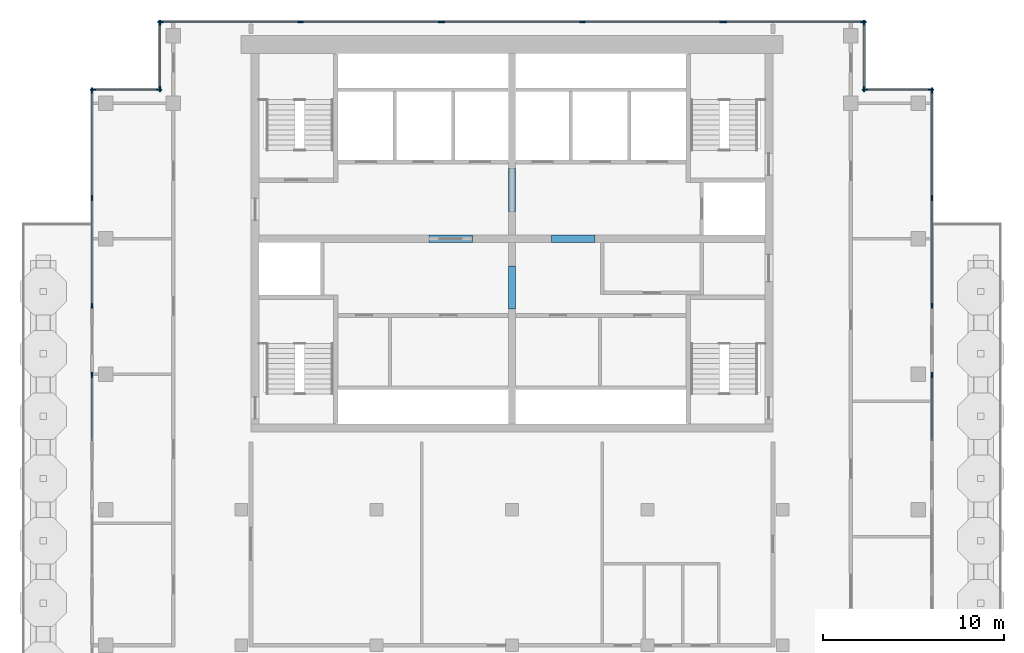
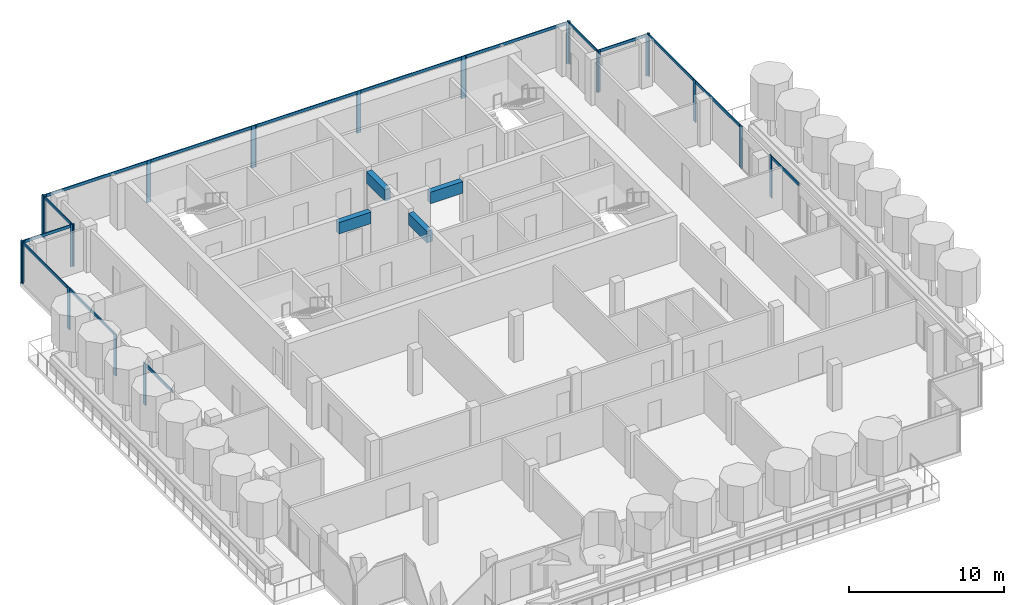
# One storey, part 4 of 12: 39 members, 4 beams, 11 elements without a shape of their own.
"""IFC4 building model written with IfcOpenShell, lengths in metres."""

from ifc_helpers import new_model, si_unit, direction, frame, origin, origin_2d, place, context, subcontext, project, spatial, rectangle, extrude, material, material_profile, profile_set, type_object, element, aggregate, save


model = new_model("IFC4")

# Units and contexts
model_context = context("Model", 3, precision=1e-05, world=origin(), true_north=direction((0.0, 1.0)))
body_context = subcontext(model_context, "Body", "Model", "MODEL_VIEW")
ifc_project = project(units=[si_unit("LENGTHUNIT", "METRE"), si_unit("AREAUNIT", "SQUARE_METRE"), si_unit("VOLUMEUNIT", "CUBIC_METRE"), si_unit("PLANEANGLEUNIT", "RADIAN"), si_unit("MASSUNIT", "GRAM", prefix="KILO")], contexts=[model_context])

# Site, building, storey
site_placement = place(None, origin())
site = spatial("IfcSite", under=ifc_project, at=site_placement, CompositionType="ELEMENT")
building_placement = place(site_placement, origin())
building = spatial("IfcBuilding", under=site, at=building_placement, Name="Pilkhan Gate Tower", CompositionType="ELEMENT")
storey_placement = place(building_placement, frame((0.0, 0.0, 258.5)))
storey = spatial("IfcBuildingStorey", under=building, at=storey_placement, Name="L67", CompositionType="ELEMENT", Elevation=258.5)

# Beams
ifc_material_1 = material(Name="Concrete C50/60", Category="concrete")
ifc_material_profile_1 = material_profile(ifc_material_1, rectangle(XDim=0.39990234375, YDim=0.89990234375, at=origin_2d()), Name="RC 400x900")
ifc_profile_set_1 = profile_set([ifc_material_profile_1], Name="Concrete C50/60")
beam_type = type_object("IfcBeamType", Name="Coupling beam CB90-4 RC 400x900 C50/60", PredefinedType="LINTEL", material=ifc_profile_set_1)
for number, where, z_axis, x_axis, name in (
    (1, (70.39990234375, 82.5, 2.85009765625), (1.0, 0.0, 0.0), (0.0, 1.0, 0.0), "Coupling beam 1 L67"),
    (2, (77.199951171875, 82.5, 2.85009765625), (1.0, 0.0, 0.0), (0.0, 1.0, 0.0), "Coupling beam 2 L67"),
):
    element("IfcBeam", number, at=place(storey_placement, frame(where, z_axis=z_axis, x_axis=x_axis)), inside=storey, type_object=beam_type, Name=name, PredefinedType="LINTEL", context=body_context, shape_type="SweptSolid", body=[
        extrude(rectangle(XDim=0.39990234375, YDim=0.89990234375, at=origin_2d()), origin(), (0.0, 0.0, 1.0), 2.400146484375),
    ])
for number, where, z_axis, x_axis, name in (
    (3, (75.0, 78.60009765625, 2.85009765625), (0.0, 1.0, 0.0), (-1.0, 0.0, 0.0), "Coupling beam 3 L67"),
    (4, (75.0, 84.0, 2.85009765625), (0.0, 1.0, 0.0), (-1.0, 0.0, 0.0), "Coupling beam 4 L67"),
):
    element("IfcBeam", number, at=place(storey_placement, frame(where, z_axis=z_axis, x_axis=x_axis)), inside=storey, type_object=beam_type, Name=name, PredefinedType="LINTEL", context=body_context, shape_type="SweptSolid", body=[
        extrude(rectangle(XDim=0.39990234375, YDim=0.89990234375, at=origin_2d()), origin(), (0.0, 0.0, 1.0), 2.39990234375),
    ])

# Curtain wall, member
ifc_material_2 = material(Name="Pale anodised aluminium, clear low-iron double glazing", Category="aluminium")
curtain_wall_type = type_object("IfcCurtainWallType", Name="Crown unitised curtain wall CW-C", PredefinedType="USERDEFINED", material=ifc_material_2)
curtain_wall_1_placement = place(storey_placement, origin())
curtain_wall_1 = element("IfcCurtainWall", 5, at=curtain_wall_1_placement, inside=storey, type_object=curtain_wall_type, Name="Crown unitised curtain wall CW-C L67 E", ObjectType="UNITISED CURTAIN WALL", PredefinedType="USERDEFINED")
ifc_material_3 = material(Name="Pale anodised aluminium", Category="aluminium")
ifc_material_profile_2 = material_profile(ifc_material_3, rectangle(XDim=0.074951171875, YDim=0.300048828125, at=origin_2d()), Name="Mullion 300x75")
ifc_profile_set_2 = profile_set([ifc_material_profile_2], Name="Pale anodised aluminium")
member_type_1 = type_object("IfcMemberType", Name="Mullion CW-C 300x75", PredefinedType="MULLION", material=ifc_profile_set_2)
member_1_placement = place(storey_placement, frame((98.25, 74.96240234375, 0.0), z_axis=(0.0, 0.0, 1.0), x_axis=(-1.0, 0.0, 0.0)))
member_1 = element("IfcMember", 6, at=member_1_placement, type_object=member_type_1, Name="CW-C mullion 2", PredefinedType="MULLION", context=body_context, shape_type="SweptSolid", body=[
    extrude(rectangle(XDim=0.074951171875, YDim=0.300048828125, at=origin_2d()), origin(), (0.0, 0.0, 1.0), 3.300048828125),
])

# Curtain wall, members
curtain_wall_2_placement = place(storey_placement, origin())
curtain_wall_2 = element("IfcCurtainWall", 7, at=curtain_wall_2_placement, inside=storey, type_object=curtain_wall_type, Name="Crown unitised curtain wall CW-C L67 E", ObjectType="UNITISED CURTAIN WALL", PredefinedType="USERDEFINED")
member_2_placement = place(storey_placement, frame((98.25, 78.78759765625, 0.0), z_axis=(0.0, 0.0, 1.0), x_axis=(-1.0, 0.0, 0.0)))
member_2 = element("IfcMember", 8, at=member_2_placement, type_object=member_type_1, Name="CW-C mullion 1", PredefinedType="MULLION", context=body_context, shape_type="SweptSolid", body=[
    extrude(rectangle(XDim=0.074951171875, YDim=0.300048828125, at=origin_2d()), origin(), (0.0, 0.0, 1.0), 3.300048828125),
])
member_3_placement = place(storey_placement, frame((98.25, 84.75, 0.0), z_axis=(0.0, 0.0, 1.0), x_axis=(-1.0, 0.0, 0.0)))
member_3 = element("IfcMember", 9, at=member_3_placement, type_object=member_type_1, Name="CW-C mullion 2", PredefinedType="MULLION", context=body_context, shape_type="SweptSolid", body=[
    extrude(rectangle(XDim=0.074951171875, YDim=0.300048828125, at=origin_2d()), origin(), (0.0, 0.0, 1.0), 3.300048828125),
])
member_4_placement = place(storey_placement, frame((98.25, 90.71240234375, 0.0), z_axis=(0.0, 0.0, 1.0), x_axis=(-1.0, 0.0, 0.0)))
member_4 = element("IfcMember", 10, at=member_4_placement, type_object=member_type_1, Name="CW-C mullion 3", PredefinedType="MULLION", context=body_context, shape_type="SweptSolid", body=[
    extrude(rectangle(XDim=0.074951171875, YDim=0.300048828125, at=origin_2d()), origin(), (0.0, 0.0, 1.0), 3.300048828125),
])

curtain_wall_3_placement = place(storey_placement, origin())
curtain_wall_3 = element("IfcCurtainWall", 11, at=curtain_wall_3_placement, inside=storey, type_object=curtain_wall_type, Name="Crown unitised curtain wall CW-C L67 N", ObjectType="UNITISED CURTAIN WALL", PredefinedType="USERDEFINED")
member_5_placement = place(storey_placement, frame((94.53759765625, 90.75, 0.0), z_axis=(0.0, 0.0, 1.0), x_axis=(0.0, 1.0, 0.0)))
member_5 = element("IfcMember", 12, at=member_5_placement, type_object=member_type_1, Name="CW-C mullion 1", PredefinedType="MULLION", context=body_context, shape_type="SweptSolid", body=[
    extrude(rectangle(XDim=0.074951171875, YDim=0.300048828125, at=origin_2d()), origin(), (0.0, 0.0, 1.0), 3.300048828125),
])
member_6_placement = place(storey_placement, frame((98.21240234375, 90.75, 0.0), z_axis=(0.0, 0.0, 1.0), x_axis=(0.0, 1.0, 0.0)))
member_6 = element("IfcMember", 13, at=member_6_placement, type_object=member_type_1, Name="CW-C mullion 2", PredefinedType="MULLION", context=body_context, shape_type="SweptSolid", body=[
    extrude(rectangle(XDim=0.074951171875, YDim=0.300048828125, at=origin_2d()), origin(), (0.0, 0.0, 1.0), 3.300048828125),
])

curtain_wall_4_placement = place(storey_placement, origin())
curtain_wall_4 = element("IfcCurtainWall", 14, at=curtain_wall_4_placement, inside=storey, type_object=curtain_wall_type, Name="Crown unitised curtain wall CW-C L67 E", ObjectType="UNITISED CURTAIN WALL", PredefinedType="USERDEFINED")
member_7_placement = place(storey_placement, frame((94.5, 90.78759765625, 0.0), z_axis=(0.0, 0.0, 1.0), x_axis=(-1.0, 0.0, 0.0)))
member_7 = element("IfcMember", 15, at=member_7_placement, type_object=member_type_1, Name="CW-C mullion 1", PredefinedType="MULLION", context=body_context, shape_type="SweptSolid", body=[
    extrude(rectangle(XDim=0.074951171875, YDim=0.300048828125, at=origin_2d()), origin(), (0.0, 0.0, 1.0), 3.300048828125),
])
member_8_placement = place(storey_placement, frame((94.5, 94.46240234375, 0.0), z_axis=(0.0, 0.0, 1.0), x_axis=(-1.0, 0.0, 0.0)))
member_8 = element("IfcMember", 16, at=member_8_placement, type_object=member_type_1, Name="CW-C mullion 2", PredefinedType="MULLION", context=body_context, shape_type="SweptSolid", body=[
    extrude(rectangle(XDim=0.074951171875, YDim=0.300048828125, at=origin_2d()), origin(), (0.0, 0.0, 1.0), 3.300048828125),
])

curtain_wall_5_placement = place(storey_placement, origin())
curtain_wall_5 = element("IfcCurtainWall", 17, at=curtain_wall_5_placement, inside=storey, type_object=curtain_wall_type, Name="Crown unitised curtain wall CW-C L67 N", ObjectType="UNITISED CURTAIN WALL", PredefinedType="USERDEFINED")
member_9_placement = place(storey_placement, frame((55.53759765625, 94.5, 0.0), z_axis=(0.0, 0.0, 1.0), x_axis=(0.0, 1.0, 0.0)))
member_9 = element("IfcMember", 18, at=member_9_placement, type_object=member_type_1, Name="CW-C mullion 1", PredefinedType="MULLION", context=body_context, shape_type="SweptSolid", body=[
    extrude(rectangle(XDim=0.074951171875, YDim=0.300048828125, at=origin_2d()), origin(), (0.0, 0.0, 1.0), 3.300048828125),
])
member_10_placement = place(storey_placement, frame((63.300048828125, 94.5, 0.0), z_axis=(0.0, 0.0, 1.0), x_axis=(0.0, 1.0, 0.0)))
member_10 = element("IfcMember", 19, at=member_10_placement, type_object=member_type_1, Name="CW-C mullion 2", PredefinedType="MULLION", context=body_context, shape_type="SweptSolid", body=[
    extrude(rectangle(XDim=0.074951171875, YDim=0.300048828125, at=origin_2d()), origin(), (0.0, 0.0, 1.0), 3.300048828125),
])
member_11_placement = place(storey_placement, frame((71.0625, 94.5, 0.0), z_axis=(0.0, 0.0, 1.0), x_axis=(0.0, 1.0, 0.0)))
member_11 = element("IfcMember", 20, at=member_11_placement, type_object=member_type_1, Name="CW-C mullion 3", PredefinedType="MULLION", context=body_context, shape_type="SweptSolid", body=[
    extrude(rectangle(XDim=0.074951171875, YDim=0.300048828125, at=origin_2d()), origin(), (0.0, 0.0, 1.0), 3.300048828125),
])

curtain_wall_6_placement = place(storey_placement, origin())
curtain_wall_6 = element("IfcCurtainWall", 21, at=curtain_wall_6_placement, inside=storey, type_object=curtain_wall_type, Name="Crown unitised curtain wall CW-C L67 N", ObjectType="UNITISED CURTAIN WALL", PredefinedType="USERDEFINED")
member_12_placement = place(storey_placement, frame((71.137451171875, 94.5, 0.0), z_axis=(0.0, 0.0, 1.0), x_axis=(0.0, 1.0, 0.0)))
member_12 = element("IfcMember", 22, at=member_12_placement, type_object=member_type_1, Name="CW-C mullion 1", PredefinedType="MULLION", context=body_context, shape_type="SweptSolid", body=[
    extrude(rectangle(XDim=0.074951171875, YDim=0.300048828125, at=origin_2d()), origin(), (0.0, 0.0, 1.0), 3.300048828125),
])
member_13_placement = place(storey_placement, frame((78.89990234375, 94.5, 0.0), z_axis=(0.0, 0.0, 1.0), x_axis=(0.0, 1.0, 0.0)))
member_13 = element("IfcMember", 23, at=member_13_placement, type_object=member_type_1, Name="CW-C mullion 2", PredefinedType="MULLION", context=body_context, shape_type="SweptSolid", body=[
    extrude(rectangle(XDim=0.074951171875, YDim=0.300048828125, at=origin_2d()), origin(), (0.0, 0.0, 1.0), 3.300048828125),
])
member_14_placement = place(storey_placement, frame((86.66259765625, 94.5, 0.0), z_axis=(0.0, 0.0, 1.0), x_axis=(0.0, 1.0, 0.0)))
member_14 = element("IfcMember", 24, at=member_14_placement, type_object=member_type_1, Name="CW-C mullion 3", PredefinedType="MULLION", context=body_context, shape_type="SweptSolid", body=[
    extrude(rectangle(XDim=0.074951171875, YDim=0.300048828125, at=origin_2d()), origin(), (0.0, 0.0, 1.0), 3.300048828125),
])

curtain_wall_7_placement = place(storey_placement, origin())
curtain_wall_7 = element("IfcCurtainWall", 25, at=curtain_wall_7_placement, inside=storey, type_object=curtain_wall_type, Name="Crown unitised curtain wall CW-C L67 N", ObjectType="UNITISED CURTAIN WALL", PredefinedType="USERDEFINED")
member_15_placement = place(storey_placement, frame((86.737548828125, 94.5, 0.0), z_axis=(0.0, 0.0, 1.0), x_axis=(0.0, 1.0, 0.0)))
member_15 = element("IfcMember", 26, at=member_15_placement, type_object=member_type_1, Name="CW-C mullion 1", PredefinedType="MULLION", context=body_context, shape_type="SweptSolid", body=[
    extrude(rectangle(XDim=0.074951171875, YDim=0.300048828125, at=origin_2d()), origin(), (0.0, 0.0, 1.0), 3.300048828125),
])
member_16_placement = place(storey_placement, frame((94.46240234375, 94.5, 0.0), z_axis=(0.0, 0.0, 1.0), x_axis=(0.0, 1.0, 0.0)))
member_16 = element("IfcMember", 27, at=member_16_placement, type_object=member_type_1, Name="CW-C mullion 2", PredefinedType="MULLION", context=body_context, shape_type="SweptSolid", body=[
    extrude(rectangle(XDim=0.074951171875, YDim=0.300048828125, at=origin_2d()), origin(), (0.0, 0.0, 1.0), 3.300048828125),
])

curtain_wall_8_placement = place(storey_placement, origin())
curtain_wall_8 = element("IfcCurtainWall", 28, at=curtain_wall_8_placement, inside=storey, type_object=curtain_wall_type, Name="Crown unitised curtain wall CW-C L67 W", ObjectType="UNITISED CURTAIN WALL", PredefinedType="USERDEFINED")
member_17_placement = place(storey_placement, frame((55.5, 90.78759765625, 0.0), z_axis=(0.0, 0.0, 1.0), x_axis=(-1.0, 0.0, 0.0)))
member_17 = element("IfcMember", 29, at=member_17_placement, type_object=member_type_1, Name="CW-C mullion 1", PredefinedType="MULLION", context=body_context, shape_type="SweptSolid", body=[
    extrude(rectangle(XDim=0.074951171875, YDim=0.300048828125, at=origin_2d()), origin(), (0.0, 0.0, 1.0), 3.300048828125),
])
member_18_placement = place(storey_placement, frame((55.5, 94.46240234375, 0.0), z_axis=(0.0, 0.0, 1.0), x_axis=(-1.0, 0.0, 0.0)))
member_18 = element("IfcMember", 30, at=member_18_placement, type_object=member_type_1, Name="CW-C mullion 2", PredefinedType="MULLION", context=body_context, shape_type="SweptSolid", body=[
    extrude(rectangle(XDim=0.074951171875, YDim=0.300048828125, at=origin_2d()), origin(), (0.0, 0.0, 1.0), 3.300048828125),
])

curtain_wall_9_placement = place(storey_placement, origin())
curtain_wall_9 = element("IfcCurtainWall", 31, at=curtain_wall_9_placement, inside=storey, type_object=curtain_wall_type, Name="Crown unitised curtain wall CW-C L67 N", ObjectType="UNITISED CURTAIN WALL", PredefinedType="USERDEFINED")
member_19_placement = place(storey_placement, frame((51.78759765625, 90.75, 0.0), z_axis=(0.0, 0.0, 1.0), x_axis=(0.0, 1.0, 0.0)))
member_19 = element("IfcMember", 32, at=member_19_placement, type_object=member_type_1, Name="CW-C mullion 1", PredefinedType="MULLION", context=body_context, shape_type="SweptSolid", body=[
    extrude(rectangle(XDim=0.074951171875, YDim=0.300048828125, at=origin_2d()), origin(), (0.0, 0.0, 1.0), 3.300048828125),
])
member_20_placement = place(storey_placement, frame((55.46240234375, 90.75, 0.0), z_axis=(0.0, 0.0, 1.0), x_axis=(0.0, 1.0, 0.0)))
member_20 = element("IfcMember", 33, at=member_20_placement, type_object=member_type_1, Name="CW-C mullion 2", PredefinedType="MULLION", context=body_context, shape_type="SweptSolid", body=[
    extrude(rectangle(XDim=0.074951171875, YDim=0.300048828125, at=origin_2d()), origin(), (0.0, 0.0, 1.0), 3.300048828125),
])

# Curtain wall, member
curtain_wall_10_placement = place(storey_placement, origin())
curtain_wall_10 = element("IfcCurtainWall", 34, at=curtain_wall_10_placement, inside=storey, type_object=curtain_wall_type, Name="Crown unitised curtain wall CW-C L67 W", ObjectType="UNITISED CURTAIN WALL", PredefinedType="USERDEFINED")
member_21_placement = place(storey_placement, frame((51.75, 74.96240234375, 0.0), z_axis=(0.0, 0.0, 1.0), x_axis=(-1.0, 0.0, 0.0)))
member_21 = element("IfcMember", 35, at=member_21_placement, type_object=member_type_1, Name="CW-C mullion 2", PredefinedType="MULLION", context=body_context, shape_type="SweptSolid", body=[
    extrude(rectangle(XDim=0.074951171875, YDim=0.300048828125, at=origin_2d()), origin(), (0.0, 0.0, 1.0), 3.300048828125),
])

# Curtain wall, members
curtain_wall_11_placement = place(storey_placement, origin())
curtain_wall_11 = element("IfcCurtainWall", 36, at=curtain_wall_11_placement, inside=storey, type_object=curtain_wall_type, Name="Crown unitised curtain wall CW-C L67 W", ObjectType="UNITISED CURTAIN WALL", PredefinedType="USERDEFINED")
member_22_placement = place(storey_placement, frame((51.75, 78.78759765625, 0.0), z_axis=(0.0, 0.0, 1.0), x_axis=(-1.0, 0.0, 0.0)))
member_22 = element("IfcMember", 37, at=member_22_placement, type_object=member_type_1, Name="CW-C mullion 1", PredefinedType="MULLION", context=body_context, shape_type="SweptSolid", body=[
    extrude(rectangle(XDim=0.074951171875, YDim=0.300048828125, at=origin_2d()), origin(), (0.0, 0.0, 1.0), 3.300048828125),
])
member_23_placement = place(storey_placement, frame((51.75, 84.75, 0.0), z_axis=(0.0, 0.0, 1.0), x_axis=(-1.0, 0.0, 0.0)))
member_23 = element("IfcMember", 38, at=member_23_placement, type_object=member_type_1, Name="CW-C mullion 2", PredefinedType="MULLION", context=body_context, shape_type="SweptSolid", body=[
    extrude(rectangle(XDim=0.074951171875, YDim=0.300048828125, at=origin_2d()), origin(), (0.0, 0.0, 1.0), 3.300048828125),
])
member_24_placement = place(storey_placement, frame((51.75, 90.71240234375, 0.0), z_axis=(0.0, 0.0, 1.0), x_axis=(-1.0, 0.0, 0.0)))
member_24 = element("IfcMember", 39, at=member_24_placement, type_object=member_type_1, Name="CW-C mullion 3", PredefinedType="MULLION", context=body_context, shape_type="SweptSolid", body=[
    extrude(rectangle(XDim=0.074951171875, YDim=0.300048828125, at=origin_2d()), origin(), (0.0, 0.0, 1.0), 3.300048828125),
])

# Member
ifc_material_profile_3 = material_profile(ifc_material_3, rectangle(XDim=0.074951171875, YDim=0.219970703125, at=origin_2d()), Name="Transom 220x75")
ifc_profile_set_3 = profile_set([ifc_material_profile_3], Name="Pale anodised aluminium")
member_type_2 = type_object("IfcMemberType", Name="Transom CW-C 220x75", PredefinedType="USERDEFINED", material=ifc_profile_set_3)
member_25_placement = place(storey_placement, frame((98.25, 71.324951171875, 3.18994140625), z_axis=(0.0, 1.0, 0.0), x_axis=(-1.0, 0.0, 0.0)))
member_25 = element("IfcMember", 40, at=member_25_placement, type_object=member_type_2, Name="CW-C transom 1", ObjectType="TRANSOM", PredefinedType="USERDEFINED", context=body_context, shape_type="SweptSolid", body=[
    extrude(rectangle(XDim=0.074951171875, YDim=0.219970703125, at=origin_2d()), origin(), (0.0, 0.0, 1.0), 3.60009765625),
])

aggregate(curtain_wall_1, [member_1, member_25])

member_26_placement = place(storey_placement, frame((98.25, 78.824951171875, 3.18994140625), z_axis=(0.0, 1.0, 0.0), x_axis=(-1.0, 0.0, 0.0)))
member_26 = element("IfcMember", 41, at=member_26_placement, type_object=member_type_2, Name="CW-C transom 1", ObjectType="TRANSOM", PredefinedType="USERDEFINED", context=body_context, shape_type="SweptSolid", body=[
    extrude(rectangle(XDim=0.074951171875, YDim=0.219970703125, at=origin_2d()), origin(), (0.0, 0.0, 1.0), 5.887451171875),
])

member_27_placement = place(storey_placement, frame((98.25, 84.78759765625, 3.18994140625), z_axis=(0.0, 1.0, 0.0), x_axis=(-1.0, 0.0, 0.0)))
member_27 = element("IfcMember", 42, at=member_27_placement, type_object=member_type_2, Name="CW-C transom 2", ObjectType="TRANSOM", PredefinedType="USERDEFINED", context=body_context, shape_type="SweptSolid", body=[
    extrude(rectangle(XDim=0.074951171875, YDim=0.219970703125, at=origin_2d()), origin(), (0.0, 0.0, 1.0), 5.887451171875),
])

aggregate(curtain_wall_2, [member_2, member_3, member_4, member_26, member_27])

member_28_placement = place(storey_placement, frame((94.574951171875, 90.75, 3.18994140625), z_axis=(1.0, 0.0, 0.0), x_axis=(0.0, 1.0, 0.0)))
member_28 = element("IfcMember", 43, at=member_28_placement, type_object=member_type_2, Name="CW-C transom 1", ObjectType="TRANSOM", PredefinedType="USERDEFINED", context=body_context, shape_type="SweptSolid", body=[
    extrude(rectangle(XDim=0.074951171875, YDim=0.219970703125, at=origin_2d()), origin(), (0.0, 0.0, 1.0), 3.60009765625),
])

aggregate(curtain_wall_3, [member_5, member_6, member_28])

member_29_placement = place(storey_placement, frame((94.5, 90.824951171875, 3.18994140625), z_axis=(0.0, 1.0, 0.0), x_axis=(-1.0, 0.0, 0.0)))
member_29 = element("IfcMember", 44, at=member_29_placement, type_object=member_type_2, Name="CW-C transom 1", ObjectType="TRANSOM", PredefinedType="USERDEFINED", context=body_context, shape_type="SweptSolid", body=[
    extrude(rectangle(XDim=0.074951171875, YDim=0.219970703125, at=origin_2d()), origin(), (0.0, 0.0, 1.0), 3.60009765625),
])

aggregate(curtain_wall_4, [member_7, member_8, member_29])

member_30_placement = place(storey_placement, frame((55.574951171875, 94.5, 3.18994140625), z_axis=(1.0, 0.0, 0.0), x_axis=(0.0, 1.0, 0.0)))
member_30 = element("IfcMember", 45, at=member_30_placement, type_object=member_type_2, Name="CW-C transom 1", ObjectType="TRANSOM", PredefinedType="USERDEFINED", context=body_context, shape_type="SweptSolid", body=[
    extrude(rectangle(XDim=0.074951171875, YDim=0.219970703125, at=origin_2d()), origin(), (0.0, 0.0, 1.0), 7.6875),
])

member_31_placement = place(storey_placement, frame((63.33740234375, 94.5, 3.18994140625), z_axis=(1.0, 0.0, 0.0), x_axis=(0.0, 1.0, 0.0)))
member_31 = element("IfcMember", 46, at=member_31_placement, type_object=member_type_2, Name="CW-C transom 2", ObjectType="TRANSOM", PredefinedType="USERDEFINED", context=body_context, shape_type="SweptSolid", body=[
    extrude(rectangle(XDim=0.074951171875, YDim=0.219970703125, at=origin_2d()), origin(), (0.0, 0.0, 1.0), 7.6875),
])

aggregate(curtain_wall_5, [member_9, member_10, member_11, member_30, member_31])

member_32_placement = place(storey_placement, frame((71.175048828125, 94.5, 3.18994140625), z_axis=(1.0, 0.0, 0.0), x_axis=(0.0, 1.0, 0.0)))
member_32 = element("IfcMember", 47, at=member_32_placement, type_object=member_type_2, Name="CW-C transom 1", ObjectType="TRANSOM", PredefinedType="USERDEFINED", context=body_context, shape_type="SweptSolid", body=[
    extrude(rectangle(XDim=0.074951171875, YDim=0.219970703125, at=origin_2d()), origin(), (0.0, 0.0, 1.0), 7.6875),
])

member_33_placement = place(storey_placement, frame((78.9375, 94.5, 3.18994140625), z_axis=(1.0, 0.0, 0.0), x_axis=(0.0, 1.0, 0.0)))
member_33 = element("IfcMember", 48, at=member_33_placement, type_object=member_type_2, Name="CW-C transom 2", ObjectType="TRANSOM", PredefinedType="USERDEFINED", context=body_context, shape_type="SweptSolid", body=[
    extrude(rectangle(XDim=0.074951171875, YDim=0.219970703125, at=origin_2d()), origin(), (0.0, 0.0, 1.0), 7.6875),
])

aggregate(curtain_wall_6, [member_12, member_13, member_14, member_32, member_33])

member_34_placement = place(storey_placement, frame((86.77490234375, 94.5, 3.18994140625), z_axis=(1.0, 0.0, 0.0), x_axis=(0.0, 1.0, 0.0)))
member_34 = element("IfcMember", 49, at=member_34_placement, type_object=member_type_2, Name="CW-C transom 1", ObjectType="TRANSOM", PredefinedType="USERDEFINED", context=body_context, shape_type="SweptSolid", body=[
    extrude(rectangle(XDim=0.074951171875, YDim=0.219970703125, at=origin_2d()), origin(), (0.0, 0.0, 1.0), 7.650146484375),
])

aggregate(curtain_wall_7, [member_15, member_16, member_34])

member_35_placement = place(storey_placement, frame((55.5, 90.824951171875, 3.18994140625), z_axis=(0.0, 1.0, 0.0), x_axis=(-1.0, 0.0, 0.0)))
member_35 = element("IfcMember", 50, at=member_35_placement, type_object=member_type_2, Name="CW-C transom 1", ObjectType="TRANSOM", PredefinedType="USERDEFINED", context=body_context, shape_type="SweptSolid", body=[
    extrude(rectangle(XDim=0.074951171875, YDim=0.219970703125, at=origin_2d()), origin(), (0.0, 0.0, 1.0), 3.60009765625),
])

aggregate(curtain_wall_8, [member_17, member_18, member_35])

member_36_placement = place(storey_placement, frame((51.824951171875, 90.75, 3.18994140625), z_axis=(1.0, 0.0, 0.0), x_axis=(0.0, 1.0, 0.0)))
member_36 = element("IfcMember", 51, at=member_36_placement, type_object=member_type_2, Name="CW-C transom 1", ObjectType="TRANSOM", PredefinedType="USERDEFINED", context=body_context, shape_type="SweptSolid", body=[
    extrude(rectangle(XDim=0.074951171875, YDim=0.219970703125, at=origin_2d()), origin(), (0.0, 0.0, 1.0), 3.60009765625),
])

aggregate(curtain_wall_9, [member_19, member_20, member_36])

member_37_placement = place(storey_placement, frame((51.75, 71.324951171875, 3.18994140625), z_axis=(0.0, 1.0, 0.0), x_axis=(-1.0, 0.0, 0.0)))
member_37 = element("IfcMember", 52, at=member_37_placement, type_object=member_type_2, Name="CW-C transom 1", ObjectType="TRANSOM", PredefinedType="USERDEFINED", context=body_context, shape_type="SweptSolid", body=[
    extrude(rectangle(XDim=0.074951171875, YDim=0.219970703125, at=origin_2d()), origin(), (0.0, 0.0, 1.0), 3.60009765625),
])

aggregate(curtain_wall_10, [member_21, member_37])

member_38_placement = place(storey_placement, frame((51.75, 78.824951171875, 3.18994140625), z_axis=(0.0, 1.0, 0.0), x_axis=(-1.0, 0.0, 0.0)))
member_38 = element("IfcMember", 53, at=member_38_placement, type_object=member_type_2, Name="CW-C transom 1", ObjectType="TRANSOM", PredefinedType="USERDEFINED", context=body_context, shape_type="SweptSolid", body=[
    extrude(rectangle(XDim=0.074951171875, YDim=0.219970703125, at=origin_2d()), origin(), (0.0, 0.0, 1.0), 5.887451171875),
])

member_39_placement = place(storey_placement, frame((51.75, 84.78759765625, 3.18994140625), z_axis=(0.0, 1.0, 0.0), x_axis=(-1.0, 0.0, 0.0)))
member_39 = element("IfcMember", 54, at=member_39_placement, type_object=member_type_2, Name="CW-C transom 2", ObjectType="TRANSOM", PredefinedType="USERDEFINED", context=body_context, shape_type="SweptSolid", body=[
    extrude(rectangle(XDim=0.074951171875, YDim=0.219970703125, at=origin_2d()), origin(), (0.0, 0.0, 1.0), 5.887451171875),
])

aggregate(curtain_wall_11, [member_22, member_23, member_24, member_38, member_39])

save(model, "model.ifc")
